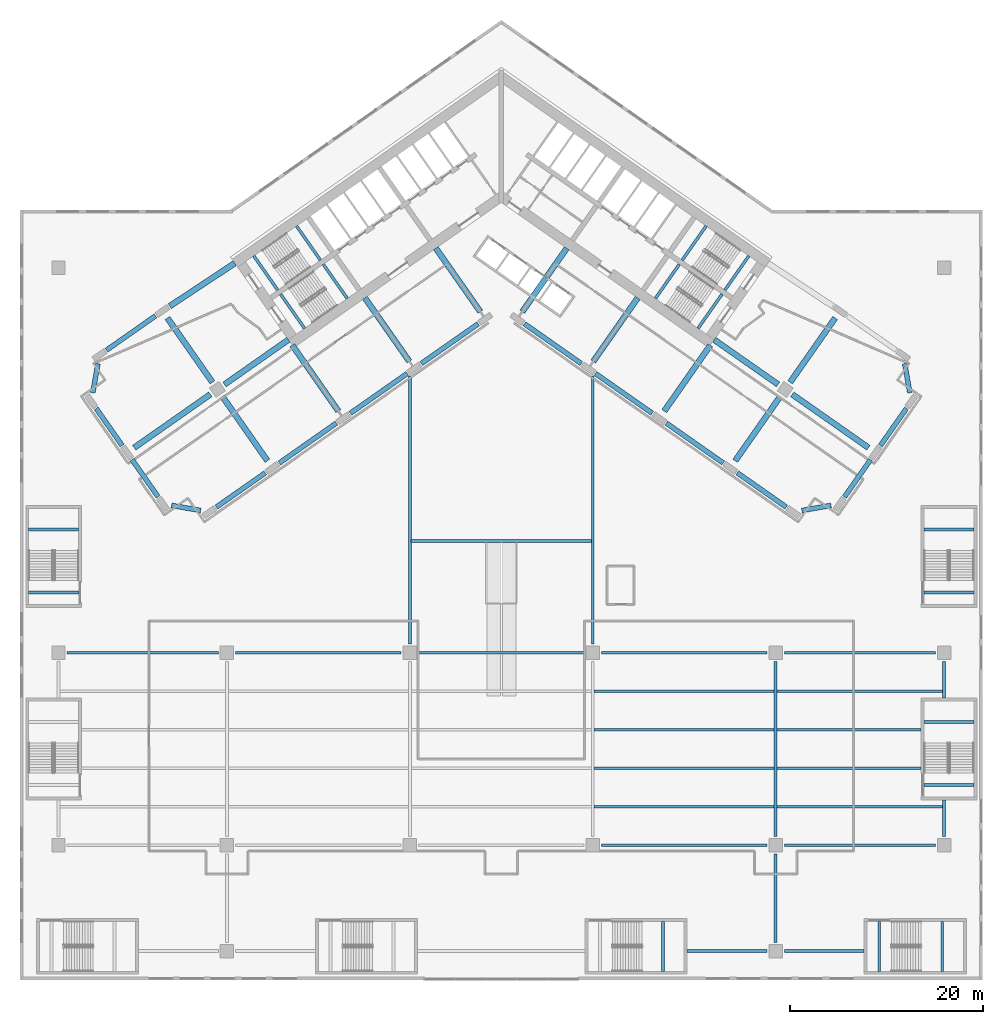
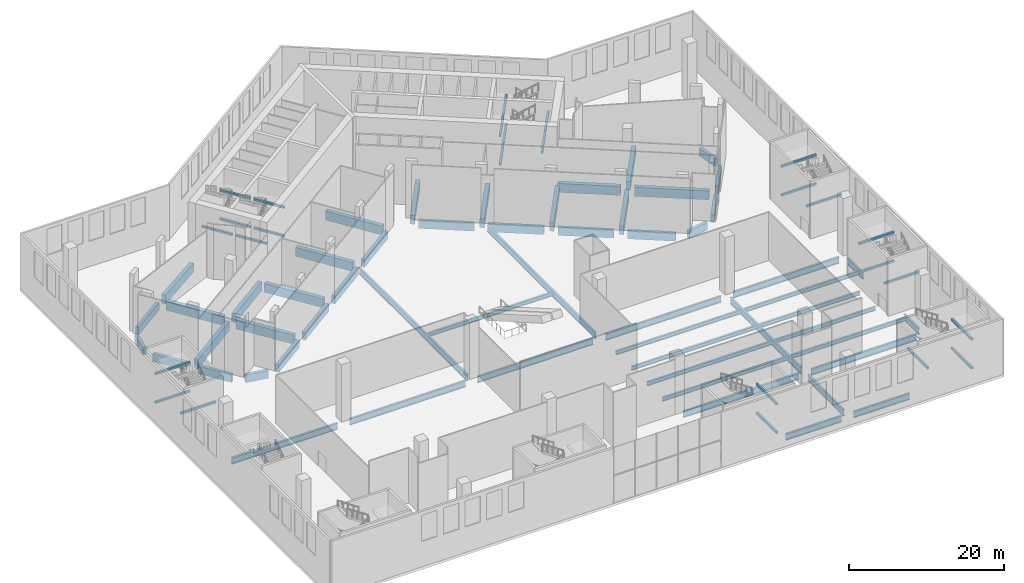
# One storey, part 3 of 27: 82 beams.
"""IFC4 building model written with IfcOpenShell, lengths in metres."""

from ifc_helpers import new_model, si_unit, direction, frame, origin, origin_2d, place, context, subcontext, project, spatial, rectangle, i_section, extrude, material, material_profile, profile_set, type_object, element, save


model = new_model("IFC4")

# Units and contexts
model_context = context("Model", 3, precision=1e-05, world=origin(), true_north=direction((0.0, 1.0)))
body_context = subcontext(model_context, "Body", "Model", "MODEL_VIEW")
ifc_project = project(units=[si_unit("LENGTHUNIT", "METRE"), si_unit("AREAUNIT", "SQUARE_METRE"), si_unit("VOLUMEUNIT", "CUBIC_METRE"), si_unit("PLANEANGLEUNIT", "RADIAN"), si_unit("MASSUNIT", "GRAM", prefix="KILO")], contexts=[model_context])

# Site, building, storey
site_placement = place(None, origin())
site = spatial("IfcSite", under=ifc_project, at=site_placement, CompositionType="ELEMENT")
building_placement = place(site_placement, origin())
building = spatial("IfcBuilding", under=site, at=building_placement, Name="Tel Ilan Convention Tower", CompositionType="ELEMENT")
storey_placement = place(building_placement, frame((0.0, 0.0, 9.0)))
storey = spatial("IfcBuildingStorey", under=building, at=storey_placement, Name="L01", CompositionType="ELEMENT", Elevation=9.0)

# Beams
ifc_material_1 = material(Name="Concrete C40/50", Category="concrete")
ifc_material_profile_1 = material_profile(ifc_material_1, rectangle(XDim=0.5, YDim=1.199951171875, at=origin_2d()), Name="RC 500x1200")
ifc_profile_set_1 = profile_set([ifc_material_profile_1], Name="Concrete C40/50")
beam_type_1 = type_object("IfcBeamType", Name="Beam RC 500x1200 Concrete C40/50", PredefinedType="BEAM", material=ifc_profile_set_1)
beam_1_placement = place(storey_placement, frame((-2.401123046875, -13.827880859375, -1.0), z_axis=(-0.819141151889, -0.573591991997, 0.0), x_axis=(0.573591991997, -0.819141151889, 0.0)))
element("IfcBeam", 1, at=beam_1_placement, inside=storey, type_object=beam_type_1, Name="L01 beam W-W-F1-W-F2", PredefinedType="BEAM", context=body_context, shape_type="SweptSolid", body=[
    extrude(rectangle(XDim=0.5, YDim=1.199951171875, at=origin_2d()), origin(), (0.0, 0.0, 1.0), 7.203369140625),
])
beam_2_placement = place(storey_placement, frame((-9.7734375, -18.990234375, -1.0), z_axis=(-0.819168225912, -0.573553325904, 0.0), x_axis=(0.573553325904, -0.819168225912, 0.0)))
element("IfcBeam", 2, at=beam_2_placement, inside=storey, type_object=beam_type_1, Name="L01 beam W-W-F2-W-F3", PredefinedType="BEAM", context=body_context, shape_type="SweptSolid", body=[
    extrude(rectangle(XDim=0.5, YDim=1.199951171875, at=origin_2d()), origin(), (0.0, 0.0, 1.0), 7.20361328125),
])
beam_3_placement = place(storey_placement, frame((-17.14599609375, -24.15234375, -1.0), z_axis=(-0.819141151889, -0.573591991997, 0.0), x_axis=(0.573591991997, -0.819141151889, 0.0)))
element("IfcBeam", 3, at=beam_3_placement, inside=storey, type_object=beam_type_1, Name="L01 beam W-W-F3-W-F4", PredefinedType="BEAM", context=body_context, shape_type="SweptSolid", body=[
    extrude(rectangle(XDim=0.5, YDim=1.199951171875, at=origin_2d()), origin(), (0.0, 0.0, 1.0), 7.203369140625),
])
beam_4_placement = place(storey_placement, frame((-24.518310546875, -29.314453125, -1.0), z_axis=(-0.819135766496, -0.573599682746, 0.0), x_axis=(0.573599682746, -0.819135766496, 0.0)))
element("IfcBeam", 4, at=beam_4_placement, inside=storey, type_object=beam_type_1, Name="L01 beam W-W-F4-W-FC", PredefinedType="BEAM", context=body_context, shape_type="SweptSolid", body=[
    extrude(rectangle(XDim=0.5, YDim=1.199951171875, at=origin_2d()), origin(), (0.0, 0.0, 1.0), 6.20361328125),
])
beam_5_placement = place(storey_placement, frame((-31.22021484375, -33.23193359375, -1.0), z_axis=(-0.9848138431, 0.173613635522, 0.0), x_axis=(-0.173613635522, -0.9848138431, 0.0)))
element("IfcBeam", 5, at=beam_5_placement, inside=storey, type_object=beam_type_1, Name="L01 beam W-W-FC-W-E1", PredefinedType="BEAM", context=body_context, shape_type="SweptSolid", body=[
    extrude(rectangle(XDim=0.5, YDim=1.199951171875, at=origin_2d()), origin(), (0.0, 0.0, 1.0), 3.08251953125),
])
for number, where, z_axis, x_axis, name in (
    (6, (-35.65576171875, -31.804931640625, -1.0), (-0.573552913762, 0.81916851448, 0.0), (-0.81916851448, -0.573552913762, 0.0), "L01 beam W-W-E1-W-E2"),
    (7, (-39.384033203125, -26.48046875, -1.0), (-0.573552913762, 0.81916851448, 0.0), (-0.81916851448, -0.573552913762, 0.0), "L01 beam W-W-E2-W-E3"),
):
    element("IfcBeam", number, at=place(storey_placement, frame(where, z_axis=z_axis, x_axis=x_axis)), inside=storey, type_object=beam_type_1, Name=name, PredefinedType="BEAM", context=body_context, shape_type="SweptSolid", body=[
        extrude(rectangle(XDim=0.5, YDim=1.199951171875, at=origin_2d()), origin(), (0.0, 0.0, 1.0), 4.70361328125),
    ])
beam_6_placement = place(storey_placement, frame((-42.44091796875, -21.007080078125, -1.0), z_axis=(0.173613635522, 0.9848138431, 0.0), x_axis=(-0.9848138431, 0.173613635522, 0.0)))
element("IfcBeam", 8, at=beam_6_placement, inside=storey, type_object=beam_type_1, Name="L01 beam W-W-E3-W-BC", PredefinedType="BEAM", context=body_context, shape_type="SweptSolid", body=[
    extrude(rectangle(XDim=0.5, YDim=1.199951171875, at=origin_2d()), origin(), (0.0, 0.0, 1.0), 3.08251953125),
])
beam_7_placement = place(storey_placement, frame((-41.013916015625, -16.571533203125, -1.0), z_axis=(0.819154257689, 0.573573275275, 0.0), x_axis=(-0.573573275275, 0.819154257689, 0.0)))
element("IfcBeam", 9, at=beam_7_placement, inside=storey, type_object=beam_type_1, Name="L01 beam W-W-BC-W-B4", PredefinedType="BEAM", context=body_context, shape_type="SweptSolid", body=[
    extrude(rectangle(XDim=0.5, YDim=1.199951171875, at=origin_2d()), origin(), (0.0, 0.0, 1.0), 6.203369140625),
])
beam_8_placement = place(storey_placement, frame((2.401123046875, -13.827880859375, -1.0), z_axis=(0.819141151889, -0.573591991997, 0.0), x_axis=(0.573591991997, 0.819141151889, 0.0)))
element("IfcBeam", 10, at=beam_8_placement, inside=storey, type_object=beam_type_1, Name="L01 beam E-E-F1-E-F2", PredefinedType="BEAM", context=body_context, shape_type="SweptSolid", body=[
    extrude(rectangle(XDim=0.5, YDim=1.199951171875, at=origin_2d()), origin(), (0.0, 0.0, 1.0), 7.203369140625),
])
beam_9_placement = place(storey_placement, frame((9.7734375, -18.990234375, -1.0), z_axis=(0.819168225912, -0.573553325904, 0.0), x_axis=(0.573553325904, 0.819168225912, 0.0)))
element("IfcBeam", 11, at=beam_9_placement, inside=storey, type_object=beam_type_1, Name="L01 beam E-E-F2-E-F3", PredefinedType="BEAM", context=body_context, shape_type="SweptSolid", body=[
    extrude(rectangle(XDim=0.5, YDim=1.199951171875, at=origin_2d()), origin(), (0.0, 0.0, 1.0), 7.20361328125),
])
beam_10_placement = place(storey_placement, frame((17.14599609375, -24.15234375, -1.0), z_axis=(0.819141151889, -0.573591991997, 0.0), x_axis=(0.573591991997, 0.819141151889, 0.0)))
element("IfcBeam", 12, at=beam_10_placement, inside=storey, type_object=beam_type_1, Name="L01 beam E-E-F3-E-F4", PredefinedType="BEAM", context=body_context, shape_type="SweptSolid", body=[
    extrude(rectangle(XDim=0.5, YDim=1.199951171875, at=origin_2d()), origin(), (0.0, 0.0, 1.0), 7.203369140625),
])
beam_11_placement = place(storey_placement, frame((24.518310546875, -29.314453125, -1.0), z_axis=(0.819135766496, -0.573599682746, 0.0), x_axis=(0.573599682746, 0.819135766496, 0.0)))
element("IfcBeam", 13, at=beam_11_placement, inside=storey, type_object=beam_type_1, Name="L01 beam E-E-F4-E-FC", PredefinedType="BEAM", context=body_context, shape_type="SweptSolid", body=[
    extrude(rectangle(XDim=0.5, YDim=1.199951171875, at=origin_2d()), origin(), (0.0, 0.0, 1.0), 6.20361328125),
])
beam_12_placement = place(storey_placement, frame((31.22021484375, -33.23193359375, -1.0), z_axis=(0.9848138431, 0.173613635522, 0.0), x_axis=(-0.173613635522, 0.9848138431, 0.0)))
element("IfcBeam", 14, at=beam_12_placement, inside=storey, type_object=beam_type_1, Name="L01 beam E-E-FC-E-E1", PredefinedType="BEAM", context=body_context, shape_type="SweptSolid", body=[
    extrude(rectangle(XDim=0.5, YDim=1.199951171875, at=origin_2d()), origin(), (0.0, 0.0, 1.0), 3.08251953125),
])
for number, where, z_axis, x_axis, name in (
    (15, (35.65576171875, -31.804931640625, -1.0), (0.573552913762, 0.81916851448, 0.0), (-0.81916851448, 0.573552913762, 0.0), "L01 beam E-E-E1-E-E2"),
    (16, (39.384033203125, -26.48046875, -1.0), (0.573552913762, 0.81916851448, 0.0), (-0.81916851448, 0.573552913762, 0.0), "L01 beam E-E-E2-E-E3"),
):
    element("IfcBeam", number, at=place(storey_placement, frame(where, z_axis=z_axis, x_axis=x_axis)), inside=storey, type_object=beam_type_1, Name=name, PredefinedType="BEAM", context=body_context, shape_type="SweptSolid", body=[
        extrude(rectangle(XDim=0.5, YDim=1.199951171875, at=origin_2d()), origin(), (0.0, 0.0, 1.0), 4.70361328125),
    ])
beam_13_placement = place(storey_placement, frame((42.44091796875, -21.007080078125, -1.0), z_axis=(-0.173613635522, 0.9848138431, 0.0), x_axis=(-0.9848138431, -0.173613635522, 0.0)))
element("IfcBeam", 17, at=beam_13_placement, inside=storey, type_object=beam_type_1, Name="L01 beam E-E-E3-E-BC", PredefinedType="BEAM", context=body_context, shape_type="SweptSolid", body=[
    extrude(rectangle(XDim=0.5, YDim=1.199951171875, at=origin_2d()), origin(), (0.0, 0.0, 1.0), 3.08251953125),
])
ifc_material_2 = material(Name="Concrete C40/50", Category="concrete")
ifc_material_profile_2 = material_profile(ifc_material_2, rectangle(XDim=0.60009765625, YDim=1.39990234375, at=origin_2d()), Name="RC 600x1400")
ifc_profile_set_2 = profile_set([ifc_material_profile_2], Name="Concrete C40/50")
beam_type_2 = type_object("IfcBeamType", Name="Beam RC 600x1400 Concrete C40/50", PredefinedType="BEAM", material=ifc_profile_set_2)
beam_14_placement = place(storey_placement, frame((-34.446044921875, -12.002197265625, -1.10009765625), z_axis=(0.834272961755, 0.551351634879, 0.0), x_axis=(-0.551351634879, 0.834272961755, 0.0)))
element("IfcBeam", 18, at=beam_14_placement, inside=storey, type_object=beam_type_2, Name="L01 beam W-W-B4-core", PredefinedType="BEAM", context=body_context, shape_type="SweptSolid", body=[
    extrude(rectangle(XDim=0.60009765625, YDim=1.39990234375, at=origin_2d()), origin(), (0.0, 0.0, 1.0), 8.103759765625),
])
beam_15_placement = place(storey_placement, frame((-2.180419921875, -12.576904296875, -1.10009765625), z_axis=(-0.573580366056, 0.819149292666, 0.0), x_axis=(-0.819149292666, -0.573580366056, 0.0)))
element("IfcBeam", 19, at=beam_15_placement, inside=storey, type_object=beam_type_2, Name="L01 beam W-W-F1-core", PredefinedType="BEAM", context=body_context, shape_type="SweptSolid", body=[
    extrude(rectangle(XDim=0.60009765625, YDim=1.39990234375, at=origin_2d()), origin(), (0.0, 0.0, 1.0), 8.052001953125),
])
beam_16_placement = place(storey_placement, frame((-9.552978515625, -17.739013671875, -1.10009765625), z_axis=(-0.573574266504, 0.819153563628, 0.0), x_axis=(-0.819153563628, -0.573574266504, 0.0)))
element("IfcBeam", 20, at=beam_16_placement, inside=storey, type_object=beam_type_2, Name="L01 beam W-W-F2-core", PredefinedType="BEAM", context=body_context, shape_type="SweptSolid", body=[
    extrude(rectangle(XDim=0.60009765625, YDim=1.39990234375, at=origin_2d()), origin(), (0.0, 0.0, 1.0), 8.051513671875),
])
beam_17_placement = place(storey_placement, frame((-16.92529296875, -22.9013671875, -1.10009765625), z_axis=(-0.573572206574, 0.819155005994, 0.0), x_axis=(-0.819155005994, -0.573572206574, 0.0)))
element("IfcBeam", 21, at=beam_17_placement, inside=storey, type_object=beam_type_2, Name="L01 beam W-W-F3-core", PredefinedType="BEAM", context=body_context, shape_type="SweptSolid", body=[
    extrude(rectangle(XDim=0.60009765625, YDim=1.39990234375, at=origin_2d()), origin(), (0.0, 0.0, 1.0), 8.3515625),
])
beam_18_placement = place(storey_placement, frame((-22.1171875, -15.486572265625, -1.10009765625), z_axis=(-0.819148384426, -0.573581663141, 0.0), x_axis=(0.573581663141, -0.819148384426, 0.0)))
element("IfcBeam", 22, at=beam_18_placement, inside=storey, type_object=beam_type_2, Name="L01 beam W-core-W-M4", PredefinedType="BEAM", context=body_context, shape_type="SweptSolid", body=[
    extrude(rectangle(XDim=0.60009765625, YDim=1.39990234375, at=origin_2d()), origin(), (0.0, 0.0, 1.0), 8.1015625),
])
beam_19_placement = place(storey_placement, frame((-30.225341796875, -21.1640625, -1.10009765625), z_axis=(-0.819152305179, -0.573576063761, 0.0), x_axis=(0.573576063761, -0.819152305179, 0.0)))
element("IfcBeam", 23, at=beam_19_placement, inside=storey, type_object=beam_type_2, Name="L01 beam W-W-M4-end", PredefinedType="BEAM", context=body_context, shape_type="SweptSolid", body=[
    extrude(rectangle(XDim=0.60009765625, YDim=1.39990234375, at=origin_2d()), origin(), (0.0, 0.0, 1.0), 9.6533203125),
])
beam_20_placement = place(storey_placement, frame((-28.97412109375, -21.384521484375, -1.10009765625), z_axis=(0.57356483053, -0.81916017065, 0.0), x_axis=(0.81916017065, 0.57356483053, 0.0)))
element("IfcBeam", 24, at=beam_20_placement, inside=storey, type_object=beam_type_2, Name="L01 beam W-W-M4-W-F4", PredefinedType="BEAM", context=body_context, shape_type="SweptSolid", body=[
    extrude(rectangle(XDim=0.60009765625, YDim=1.39990234375, at=origin_2d()), origin(), (0.0, 0.0, 1.0), 8.1533203125),
])
beam_21_placement = place(storey_placement, frame((-30.004638671875, -19.912841796875, -1.10009765625), z_axis=(-0.573584922699, 0.819146102019, 0.0), x_axis=(-0.819146102019, -0.573584922699, 0.0)))
element("IfcBeam", 25, at=beam_21_placement, inside=storey, type_object=beam_type_2, Name="L01 beam W-W-M4-W-B4", PredefinedType="BEAM", context=body_context, shape_type="SweptSolid", body=[
    extrude(rectangle(XDim=0.60009765625, YDim=1.39990234375, at=origin_2d()), origin(), (0.0, 0.0, 1.0), 8.153564453125),
])
beam_22_placement = place(storey_placement, frame((2.180419921875, -12.576904296875, -1.10009765625), z_axis=(0.573580366056, 0.819149292666, 0.0), x_axis=(-0.819149292666, 0.573580366056, 0.0)))
element("IfcBeam", 26, at=beam_22_placement, inside=storey, type_object=beam_type_2, Name="L01 beam E-E-F1-core", PredefinedType="BEAM", context=body_context, shape_type="SweptSolid", body=[
    extrude(rectangle(XDim=0.60009765625, YDim=1.39990234375, at=origin_2d()), origin(), (0.0, 0.0, 1.0), 8.052001953125),
])
beam_23_placement = place(storey_placement, frame((9.552978515625, -17.739013671875, -1.10009765625), z_axis=(0.573574266504, 0.819153563628, 0.0), x_axis=(-0.819153563628, 0.573574266504, 0.0)))
element("IfcBeam", 27, at=beam_23_placement, inside=storey, type_object=beam_type_2, Name="L01 beam E-E-F2-core", PredefinedType="BEAM", context=body_context, shape_type="SweptSolid", body=[
    extrude(rectangle(XDim=0.60009765625, YDim=1.39990234375, at=origin_2d()), origin(), (0.0, 0.0, 1.0), 8.051513671875),
])
beam_24_placement = place(storey_placement, frame((16.92529296875, -22.9013671875, -1.10009765625), z_axis=(0.573572206574, 0.819155005994, 0.0), x_axis=(-0.819155005994, 0.573572206574, 0.0)))
element("IfcBeam", 28, at=beam_24_placement, inside=storey, type_object=beam_type_2, Name="L01 beam E-E-F3-core", PredefinedType="BEAM", context=body_context, shape_type="SweptSolid", body=[
    extrude(rectangle(XDim=0.60009765625, YDim=1.39990234375, at=origin_2d()), origin(), (0.0, 0.0, 1.0), 8.3515625),
])
beam_25_placement = place(storey_placement, frame((22.1171875, -15.486572265625, -1.10009765625), z_axis=(0.819148384426, -0.573581663141, 0.0), x_axis=(0.573581663141, 0.819148384426, 0.0)))
element("IfcBeam", 29, at=beam_25_placement, inside=storey, type_object=beam_type_2, Name="L01 beam E-core-E-M4", PredefinedType="BEAM", context=body_context, shape_type="SweptSolid", body=[
    extrude(rectangle(XDim=0.60009765625, YDim=1.39990234375, at=origin_2d()), origin(), (0.0, 0.0, 1.0), 8.1015625),
])
beam_26_placement = place(storey_placement, frame((30.225341796875, -21.1640625, -1.10009765625), z_axis=(0.819152305179, -0.573576063761, 0.0), x_axis=(0.573576063761, 0.819152305179, 0.0)))
element("IfcBeam", 30, at=beam_26_placement, inside=storey, type_object=beam_type_2, Name="L01 beam E-E-M4-end", PredefinedType="BEAM", context=body_context, shape_type="SweptSolid", body=[
    extrude(rectangle(XDim=0.60009765625, YDim=1.39990234375, at=origin_2d()), origin(), (0.0, 0.0, 1.0), 9.6533203125),
])
beam_27_placement = place(storey_placement, frame((28.97412109375, -21.384521484375, -1.10009765625), z_axis=(-0.57356483053, -0.81916017065, 0.0), x_axis=(0.81916017065, -0.57356483053, 0.0)))
element("IfcBeam", 31, at=beam_27_placement, inside=storey, type_object=beam_type_2, Name="L01 beam E-E-M4-E-F4", PredefinedType="BEAM", context=body_context, shape_type="SweptSolid", body=[
    extrude(rectangle(XDim=0.60009765625, YDim=1.39990234375, at=origin_2d()), origin(), (0.0, 0.0, 1.0), 8.1533203125),
])
beam_28_placement = place(storey_placement, frame((30.004638671875, -19.912841796875, -1.10009765625), z_axis=(0.573584922699, 0.819146102019, 0.0), x_axis=(-0.819146102019, 0.573584922699, 0.0)))
element("IfcBeam", 32, at=beam_28_placement, inside=storey, type_object=beam_type_2, Name="L01 beam E-E-M4-E-B4", PredefinedType="BEAM", context=body_context, shape_type="SweptSolid", body=[
    extrude(rectangle(XDim=0.60009765625, YDim=1.39990234375, at=origin_2d()), origin(), (0.0, 0.0, 1.0), 8.153564453125),
])
ifc_material_3 = material(Name="Steel S355", Category="steel")
ifc_material_profile_3 = material_profile(ifc_material_3, i_section(OverallWidth=0.300048828125, OverallDepth=1.0, WebThickness=0.01904296875, FlangeThickness=0.035888671875, FilletRadius=0.030029296875, at=origin_2d()), Name="HEB 1000")
ifc_profile_set_3 = profile_set([ifc_material_profile_3], Name="Steel S355")
beam_type_3 = type_object("IfcBeamType", Name="Girder HEB 1000 Steel S355", PredefinedType="BEAM", material=ifc_profile_set_3)
beam_29_placement = place(storey_placement, frame((10.39990234375, -68.0, -0.89990234375), z_axis=(1.0, 0.0, 0.0), x_axis=(0.0, 1.0, 0.0)))
element("IfcBeam", 33, at=beam_29_placement, inside=storey, type_object=beam_type_3, Name="L01 beam GX24-5", PredefinedType="BEAM", context=body_context, shape_type="SweptSolid", body=[
    extrude(i_section(OverallWidth=0.300048828125, OverallDepth=1.0, WebThickness=0.01904296875, FlangeThickness=0.035888671875, FilletRadius=0.030029296875, at=origin_2d()), origin(), (0.0, 0.0, 1.0), 17.2001953125),
])
for number, where, z_axis, x_axis, name in (
    (34, (29.39990234375, -68.0, -0.89990234375), (1.0, 0.0, 0.0), (0.0, 1.0, 0.0), "L01 beam GX25-6"),
    (35, (-45.10009765625, -48.0, -0.89990234375), (1.0, 0.0, 0.0), (0.0, 1.0, 0.0), "L01 beam GX31-2"),
):
    element("IfcBeam", number, at=place(storey_placement, frame(where, z_axis=z_axis, x_axis=x_axis)), inside=storey, type_object=beam_type_3, Name=name, PredefinedType="BEAM", context=body_context, shape_type="SweptSolid", body=[
        extrude(i_section(OverallWidth=0.300048828125, OverallDepth=1.0, WebThickness=0.01904296875, FlangeThickness=0.035888671875, FilletRadius=0.030029296875, at=origin_2d()), origin(), (0.0, 0.0, 1.0), 15.7001953125),
    ])
for number, where, z_axis, x_axis, name in (
    (36, (-27.60009765625, -48.0, -0.89990234375), (1.0, 0.0, 0.0), (0.0, 1.0, 0.0), "L01 beam GX32-3"),
    (37, (-8.60009765625, -48.0, -0.89990234375), (1.0, 0.0, 0.0), (0.0, 1.0, 0.0), "L01 beam GX33-4"),
    (38, (10.39990234375, -48.0, -0.89990234375), (1.0, 0.0, 0.0), (0.0, 1.0, 0.0), "L01 beam GX34-5"),
):
    element("IfcBeam", number, at=place(storey_placement, frame(where, z_axis=z_axis, x_axis=x_axis)), inside=storey, type_object=beam_type_3, Name=name, PredefinedType="BEAM", context=body_context, shape_type="SweptSolid", body=[
        extrude(i_section(OverallWidth=0.300048828125, OverallDepth=1.0, WebThickness=0.01904296875, FlangeThickness=0.035888671875, FilletRadius=0.030029296875, at=origin_2d()), origin(), (0.0, 0.0, 1.0), 17.2001953125),
    ])
beam_30_placement = place(storey_placement, frame((29.39990234375, -48.0, -0.89990234375), z_axis=(1.0, 0.0, 0.0), x_axis=(0.0, 1.0, 0.0)))
element("IfcBeam", 39, at=beam_30_placement, inside=storey, type_object=beam_type_3, Name="L01 beam GX35-6", PredefinedType="BEAM", context=body_context, shape_type="SweptSolid", body=[
    extrude(i_section(OverallWidth=0.300048828125, OverallDepth=1.0, WebThickness=0.01904296875, FlangeThickness=0.035888671875, FilletRadius=0.030029296875, at=origin_2d()), origin(), (0.0, 0.0, 1.0), 15.7001953125),
])
beam_31_placement = place(storey_placement, frame((28.5, -78.10009765625, -0.89990234375), z_axis=(0.0, 1.0, 0.0), x_axis=(-1.0, 0.0, 0.0)))
element("IfcBeam", 40, at=beam_31_placement, inside=storey, type_object=beam_type_3, Name="L01 beam GY51-2", PredefinedType="BEAM", context=body_context, shape_type="SweptSolid", body=[
    extrude(i_section(OverallWidth=0.300048828125, OverallDepth=1.0, WebThickness=0.01904296875, FlangeThickness=0.035888671875, FilletRadius=0.030029296875, at=origin_2d()), origin(), (0.0, 0.0, 1.0), 9.2001953125),
])
beam_32_placement = place(storey_placement, frame((28.5, -67.10009765625, -0.89990234375), z_axis=(0.0, 1.0, 0.0), x_axis=(-1.0, 0.0, 0.0)))
element("IfcBeam", 41, at=beam_32_placement, inside=storey, type_object=beam_type_3, Name="L01 beam GY52-3", PredefinedType="BEAM", context=body_context, shape_type="SweptSolid", body=[
    extrude(i_section(OverallWidth=0.300048828125, OverallDepth=1.0, WebThickness=0.01904296875, FlangeThickness=0.035888671875, FilletRadius=0.030029296875, at=origin_2d()), origin(), (0.0, 0.0, 1.0), 18.2001953125),
])
for number, where, z_axis, x_axis, name in (
    (42, (46.0, -67.10009765625, -0.89990234375), (0.0, 1.0, 0.0), (-1.0, 0.0, 0.0), "L01 beam GY62-3"),
    (43, (46.0, -52.699951171875, -0.89990234375), (0.0, 1.0, 0.0), (-1.0, 0.0, 0.0), "L01 beam GY62-3"),
):
    element("IfcBeam", number, at=place(storey_placement, frame(where, z_axis=z_axis, x_axis=x_axis)), inside=storey, type_object=beam_type_3, Name=name, PredefinedType="BEAM", context=body_context, shape_type="SweptSolid", body=[
        extrude(i_section(OverallWidth=0.300048828125, OverallDepth=1.0, WebThickness=0.01904296875, FlangeThickness=0.035888671875, FilletRadius=0.030029296875, at=origin_2d()), origin(), (0.0, 0.0, 1.0), 3.800048828125),
    ])
for number, where, z_axis, x_axis, name in (
    (44, (19.300048828125, -79.0, -0.89990234375), (1.0, 0.0, 0.0), (0.0, 1.0, 0.0), "L01 beam GS22"),
    (45, (29.39990234375, -79.0, -0.89990234375), (1.0, 0.0, 0.0), (0.0, 1.0, 0.0), "L01 beam GS23"),
):
    element("IfcBeam", number, at=place(storey_placement, frame(where, z_axis=z_axis, x_axis=x_axis)), inside=storey, type_object=beam_type_3, Name=name, PredefinedType="BEAM", context=body_context, shape_type="SweptSolid", body=[
        extrude(i_section(OverallWidth=0.300048828125, OverallDepth=1.0, WebThickness=0.01904296875, FlangeThickness=0.035888671875, FilletRadius=0.030029296875, at=origin_2d()), origin(), (0.0, 0.0, 1.0), 8.300048828125),
    ])
for number, where, z_axis, x_axis, name in (
    (46, (-9.5, -47.10009765625, -0.89990234375), (0.0, 1.0, 0.0), (-1.0, 0.0, 0.0), "L01 beam GN1"),
    (47, (9.5, -47.10009765625, -0.89990234375), (0.0, 1.0, 0.0), (-1.0, 0.0, 0.0), "L01 beam GN2"),
):
    element("IfcBeam", number, at=place(storey_placement, frame(where, z_axis=z_axis, x_axis=x_axis)), inside=storey, type_object=beam_type_3, Name=name, PredefinedType="BEAM", context=body_context, shape_type="SweptSolid", body=[
        extrude(i_section(OverallWidth=0.300048828125, OverallDepth=1.0, WebThickness=0.01904296875, FlangeThickness=0.035888671875, FilletRadius=0.030029296875, at=origin_2d()), origin(), (0.0, 0.0, 1.0), 27.856689453125),
    ])
ifc_material_4 = material(Name="Steel S355", Category="steel")
ifc_material_profile_4 = material_profile(ifc_material_4, i_section(OverallWidth=0.300048828125, OverallDepth=0.60009765625, WebThickness=0.015380859375, FlangeThickness=0.030029296875, FilletRadius=0.027099609375, at=origin_2d()), Name="HEB 600")
ifc_profile_set_4 = profile_set([ifc_material_profile_4], Name="Steel S355")
beam_type_4 = type_object("IfcBeamType", Name="Joist HEB 600 Steel S355", PredefinedType="JOIST", material=ifc_profile_set_4)
for number, where, z_axis, x_axis, name in (
    (48, (9.639892578125, -64.0, -0.699951171875), (1.0, 0.0, 0.0), (0.0, 1.0, 0.0), "L01 beam J4--68-1"),
    (49, (9.639892578125, -60.0, -0.699951171875), (1.0, 0.0, 0.0), (0.0, 1.0, 0.0), "L01 beam J4--68-2"),
    (50, (9.639892578125, -56.0, -0.699951171875), (1.0, 0.0, 0.0), (0.0, 1.0, 0.0), "L01 beam J4--68-3"),
    (51, (9.639892578125, -52.0, -0.699951171875), (1.0, 0.0, 0.0), (0.0, 1.0, 0.0), "L01 beam J4--68-4"),
):
    element("IfcBeam", number, at=place(storey_placement, frame(where, z_axis=z_axis, x_axis=x_axis)), inside=storey, type_object=beam_type_4, Name=name, PredefinedType="JOIST", context=body_context, shape_type="SweptSolid", body=[
        extrude(i_section(OverallWidth=0.300048828125, OverallDepth=0.60009765625, WebThickness=0.015380859375, FlangeThickness=0.030029296875, FilletRadius=0.027099609375, at=origin_2d()), origin(), (0.0, 0.0, 1.0), 18.72021484375),
    ])
beam_33_placement = place(storey_placement, frame((28.639892578125, -64.0, -0.699951171875), z_axis=(1.0, 0.0, 0.0), x_axis=(0.0, 1.0, 0.0)))
element("IfcBeam", 52, at=beam_33_placement, inside=storey, type_object=beam_type_4, Name="L01 beam J5--68-1", PredefinedType="JOIST", context=body_context, shape_type="SweptSolid", body=[
    extrude(i_section(OverallWidth=0.300048828125, OverallDepth=0.60009765625, WebThickness=0.015380859375, FlangeThickness=0.030029296875, FilletRadius=0.027099609375, at=origin_2d()), origin(), (0.0, 0.0, 1.0), 17.22021484375),
])
for number, where, z_axis, x_axis, name in (
    (53, (28.639892578125, -60.0, -0.699951171875), (1.0, 0.0, 0.0), (0.0, 1.0, 0.0), "L01 beam J5--68-2"),
    (54, (28.639892578125, -56.0, -0.699951171875), (1.0, 0.0, 0.0), (0.0, 1.0, 0.0), "L01 beam J5--68-3"),
):
    element("IfcBeam", number, at=place(storey_placement, frame(where, z_axis=z_axis, x_axis=x_axis)), inside=storey, type_object=beam_type_4, Name=name, PredefinedType="JOIST", context=body_context, shape_type="SweptSolid", body=[
        extrude(i_section(OverallWidth=0.300048828125, OverallDepth=0.60009765625, WebThickness=0.015380859375, FlangeThickness=0.030029296875, FilletRadius=0.027099609375, at=origin_2d()), origin(), (0.0, 0.0, 1.0), 14.960205078125),
    ])
beam_34_placement = place(storey_placement, frame((28.639892578125, -52.0, -0.699951171875), z_axis=(1.0, 0.0, 0.0), x_axis=(0.0, 1.0, 0.0)))
element("IfcBeam", 55, at=beam_34_placement, inside=storey, type_object=beam_type_4, Name="L01 beam J5--68-4", PredefinedType="JOIST", context=body_context, shape_type="SweptSolid", body=[
    extrude(i_section(OverallWidth=0.300048828125, OverallDepth=0.60009765625, WebThickness=0.015380859375, FlangeThickness=0.030029296875, FilletRadius=0.027099609375, at=origin_2d()), origin(), (0.0, 0.0, 1.0), 17.22021484375),
])
beam_35_placement = place(storey_placement, frame((-9.360107421875, -36.412109375, -0.699951171875), z_axis=(1.0, 0.0, 0.0), x_axis=(0.0, 1.0, 0.0)))
element("IfcBeam", 56, at=beam_35_placement, inside=storey, type_object=beam_type_4, Name="L01 beam TE1", PredefinedType="JOIST", context=body_context, shape_type="SweptSolid", body=[
    extrude(i_section(OverallWidth=0.300048828125, OverallDepth=0.60009765625, WebThickness=0.015380859375, FlangeThickness=0.030029296875, FilletRadius=0.027099609375, at=origin_2d()), origin(), (0.0, 0.0, 1.0), 18.72021484375),
])
ifc_material_5 = material(Name="Concrete C40/50", Category="concrete")
ifc_material_profile_5 = material_profile(ifc_material_5, rectangle(XDim=0.300048828125, YDim=0.300048828125, at=origin_2d()), Name="RC 300x300")
ifc_profile_set_5 = profile_set([ifc_material_profile_5], Name="Concrete C40/50")
beam_type_5 = type_object("IfcBeamType", Name="Landing Beam RC 300x300 Concrete C40/50", PredefinedType="BEAM", material=ifc_profile_set_5)
beam_36_placement = place(storey_placement, frame((-18.7841796875, -7.232177734375, 1.89990234375), z_axis=(-0.57356780395, 0.819158088694, 0.0), x_axis=(-0.819158088694, -0.57356780395, 0.0)))
element("IfcBeam", 57, at=beam_36_placement, inside=storey, type_object=beam_type_5, Name="S1 landing beam L01.1", PredefinedType="BEAM", context=body_context, shape_type="SweptSolid", body=[
    extrude(rectangle(XDim=0.300048828125, YDim=0.300048828125, at=origin_2d()), origin(), (0.0, 0.0, 1.0), 4.35009765625),
])
beam_37_placement = place(storey_placement, frame((-23.219482421875, -10.337646484375, 4.14990234375), z_axis=(-0.573556512523, 0.819165994742, 0.0), x_axis=(-0.819165994742, -0.573556512523, 0.0)))
element("IfcBeam", 58, at=beam_37_placement, inside=storey, type_object=beam_type_5, Name="S1 landing beam L01.2", PredefinedType="BEAM", context=body_context, shape_type="SweptSolid", body=[
    extrude(rectangle(XDim=0.300048828125, YDim=0.300048828125, at=origin_2d()), origin(), (0.0, 0.0, 1.0), 4.349853515625),
])
for number, where, z_axis, x_axis, name in (
    (59, (-18.7841796875, -7.232177734375, 6.39990234375), (-0.57356780395, 0.819158088694, 0.0), (-0.819158088694, -0.57356780395, 0.0), "S1 landing beam L01.3"),
    (60, (-16.00244140625, -11.205078125, 1.89990234375), (-0.57356780395, 0.819158088694, 0.0), (-0.819158088694, -0.57356780395, 0.0), "S2 landing beam L01.1"),
):
    element("IfcBeam", number, at=place(storey_placement, frame(where, z_axis=z_axis, x_axis=x_axis)), inside=storey, type_object=beam_type_5, Name=name, PredefinedType="BEAM", context=body_context, shape_type="SweptSolid", body=[
        extrude(rectangle(XDim=0.300048828125, YDim=0.300048828125, at=origin_2d()), origin(), (0.0, 0.0, 1.0), 4.35009765625),
    ])
beam_38_placement = place(storey_placement, frame((-20.4375, -14.310546875, 4.14990234375), z_axis=(-0.573594173421, 0.819139624372, 0.0), x_axis=(-0.819139624372, -0.573594173421, 0.0)))
element("IfcBeam", 61, at=beam_38_placement, inside=storey, type_object=beam_type_5, Name="S2 landing beam L01.2", PredefinedType="BEAM", context=body_context, shape_type="SweptSolid", body=[
    extrude(rectangle(XDim=0.300048828125, YDim=0.300048828125, at=origin_2d()), origin(), (0.0, 0.0, 1.0), 4.349853515625),
])
for number, where, z_axis, x_axis, name in (
    (62, (-16.00244140625, -11.205078125, 6.39990234375), (-0.57356780395, 0.819158088694, 0.0), (-0.819158088694, -0.57356780395, 0.0), "S2 landing beam L01.3"),
    (63, (21.279296875, -3.668701171875, 1.89990234375), (-0.57356780395, -0.819158088694, 0.0), (0.819158088694, -0.57356780395, 0.0), "S3 landing beam L01.1"),
):
    element("IfcBeam", number, at=place(storey_placement, frame(where, z_axis=z_axis, x_axis=x_axis)), inside=storey, type_object=beam_type_5, Name=name, PredefinedType="BEAM", context=body_context, shape_type="SweptSolid", body=[
        extrude(rectangle(XDim=0.300048828125, YDim=0.300048828125, at=origin_2d()), origin(), (0.0, 0.0, 1.0), 4.35009765625),
    ])
beam_39_placement = place(storey_placement, frame((25.71435546875, -6.7744140625, 4.14990234375), z_axis=(-0.573556512523, -0.819165994742, 0.0), x_axis=(0.819165994742, -0.573556512523, 0.0)))
element("IfcBeam", 64, at=beam_39_placement, inside=storey, type_object=beam_type_5, Name="S3 landing beam L01.2", PredefinedType="BEAM", context=body_context, shape_type="SweptSolid", body=[
    extrude(rectangle(XDim=0.300048828125, YDim=0.300048828125, at=origin_2d()), origin(), (0.0, 0.0, 1.0), 4.349853515625),
])
for number, where, z_axis, x_axis, name in (
    (65, (21.279296875, -3.668701171875, 6.39990234375), (-0.57356780395, -0.819158088694, 0.0), (0.819158088694, -0.57356780395, 0.0), "S3 landing beam L01.3"),
    (66, (18.49755859375, -7.6416015625, 1.89990234375), (-0.57356780395, -0.819158088694, 0.0), (0.819158088694, -0.57356780395, 0.0), "S4 landing beam L01.1"),
):
    element("IfcBeam", number, at=place(storey_placement, frame(where, z_axis=z_axis, x_axis=x_axis)), inside=storey, type_object=beam_type_5, Name=name, PredefinedType="BEAM", context=body_context, shape_type="SweptSolid", body=[
        extrude(rectangle(XDim=0.300048828125, YDim=0.300048828125, at=origin_2d()), origin(), (0.0, 0.0, 1.0), 4.35009765625),
    ])
beam_40_placement = place(storey_placement, frame((22.9326171875, -10.747314453125, 4.14990234375), z_axis=(-0.573594173421, -0.819139624372, 0.0), x_axis=(0.819139624372, -0.573594173421, 0.0)))
element("IfcBeam", 67, at=beam_40_placement, inside=storey, type_object=beam_type_5, Name="S4 landing beam L01.2", PredefinedType="BEAM", context=body_context, shape_type="SweptSolid", body=[
    extrude(rectangle(XDim=0.300048828125, YDim=0.300048828125, at=origin_2d()), origin(), (0.0, 0.0, 1.0), 4.349853515625),
])
beam_41_placement = place(storey_placement, frame((18.49755859375, -7.6416015625, 6.39990234375), z_axis=(-0.57356780395, -0.819158088694, 0.0), x_axis=(0.819158088694, -0.57356780395, 0.0)))
element("IfcBeam", 68, at=beam_41_placement, inside=storey, type_object=beam_type_5, Name="S4 landing beam L01.3", PredefinedType="BEAM", context=body_context, shape_type="SweptSolid", body=[
    extrude(rectangle(XDim=0.300048828125, YDim=0.300048828125, at=origin_2d()), origin(), (0.0, 0.0, 1.0), 4.35009765625),
])
for number, where, z_axis, x_axis, name in (
    (69, (16.802001953125, -81.10009765625, 1.89990234375), (0.0, 1.0, 0.0), (-1.0, 0.0, 0.0), "P3 landing beam L01.1"),
    (70, (16.802001953125, -81.10009765625, 6.39990234375), (0.0, 1.0, 0.0), (-1.0, 0.0, 0.0), "P3 landing beam L01.3"),
    (71, (45.802001953125, -81.10009765625, 1.89990234375), (0.0, 1.0, 0.0), (-1.0, 0.0, 0.0), "P4 landing beam L01.1"),
    (72, (39.262939453125, -81.10009765625, 4.14990234375), (0.0, 1.0, 0.0), (-1.0, 0.0, 0.0), "P4 landing beam L01.2"),
    (73, (45.802001953125, -81.10009765625, 6.39990234375), (0.0, 1.0, 0.0), (-1.0, 0.0, 0.0), "P4 landing beam L01.3"),
    (74, (49.10009765625, -55.197998046875, 1.89990234375), (-1.0, 0.0, 0.0), (0.0, -1.0, 0.0), "P6 landing beam L01.1"),
    (75, (49.10009765625, -61.737060546875, 4.14990234375), (-1.0, 0.0, 0.0), (0.0, -1.0, 0.0), "P6 landing beam L01.2"),
    (76, (49.10009765625, -55.197998046875, 6.39990234375), (-1.0, 0.0, 0.0), (0.0, -1.0, 0.0), "P6 landing beam L01.3"),
    (77, (-43.89990234375, -35.197998046875, 1.89990234375), (-1.0, 0.0, 0.0), (0.0, -1.0, 0.0), "P7 landing beam L01.1"),
    (78, (-43.89990234375, -41.737060546875, 4.14990234375), (-1.0, 0.0, 0.0), (0.0, -1.0, 0.0), "P7 landing beam L01.2"),
    (79, (-43.89990234375, -35.197998046875, 6.39990234375), (-1.0, 0.0, 0.0), (0.0, -1.0, 0.0), "P7 landing beam L01.3"),
    (80, (49.10009765625, -35.197998046875, 1.89990234375), (-1.0, 0.0, 0.0), (0.0, -1.0, 0.0), "P8 landing beam L01.1"),
    (81, (49.10009765625, -41.737060546875, 4.14990234375), (-1.0, 0.0, 0.0), (0.0, -1.0, 0.0), "P8 landing beam L01.2"),
    (82, (49.10009765625, -35.197998046875, 6.39990234375), (-1.0, 0.0, 0.0), (0.0, -1.0, 0.0), "P8 landing beam L01.3"),
):
    element("IfcBeam", number, at=place(storey_placement, frame(where, z_axis=z_axis, x_axis=x_axis)), inside=storey, type_object=beam_type_5, Name=name, PredefinedType="BEAM", context=body_context, shape_type="SweptSolid", body=[
        extrude(rectangle(XDim=0.300048828125, YDim=0.300048828125, at=origin_2d()), origin(), (0.0, 0.0, 1.0), 5.2001953125),
    ])

save(model, "model.ifc")
